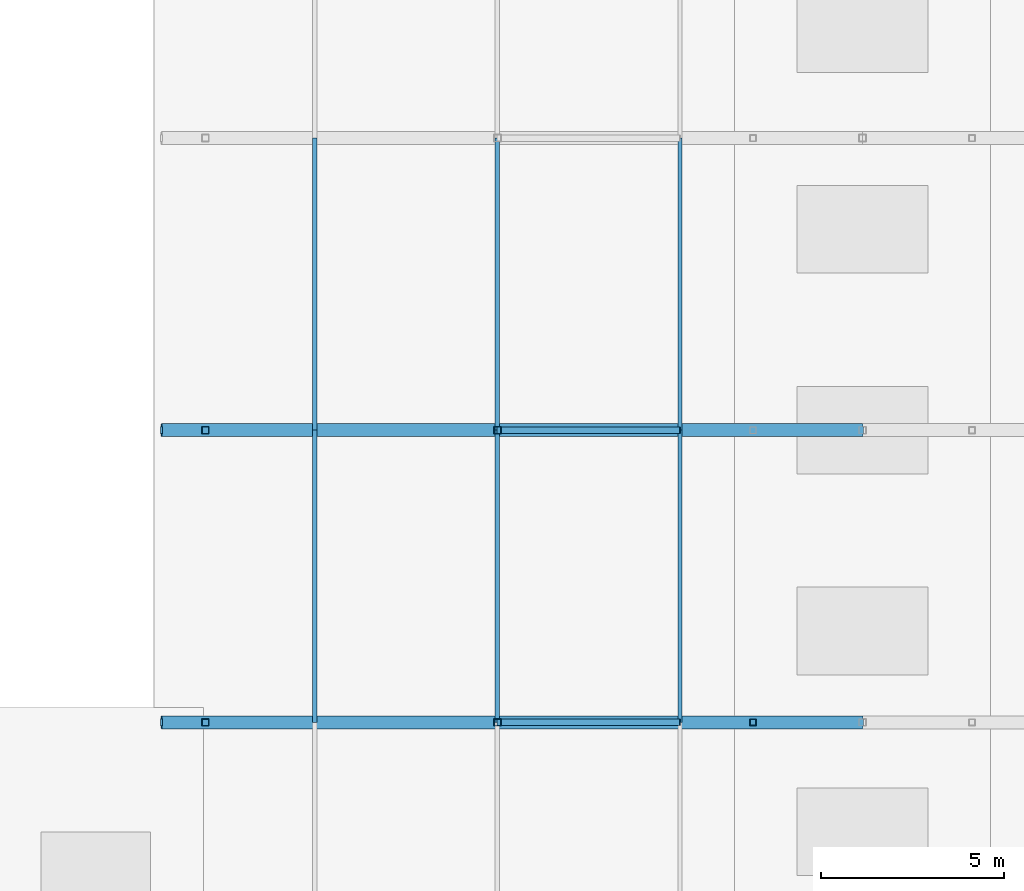
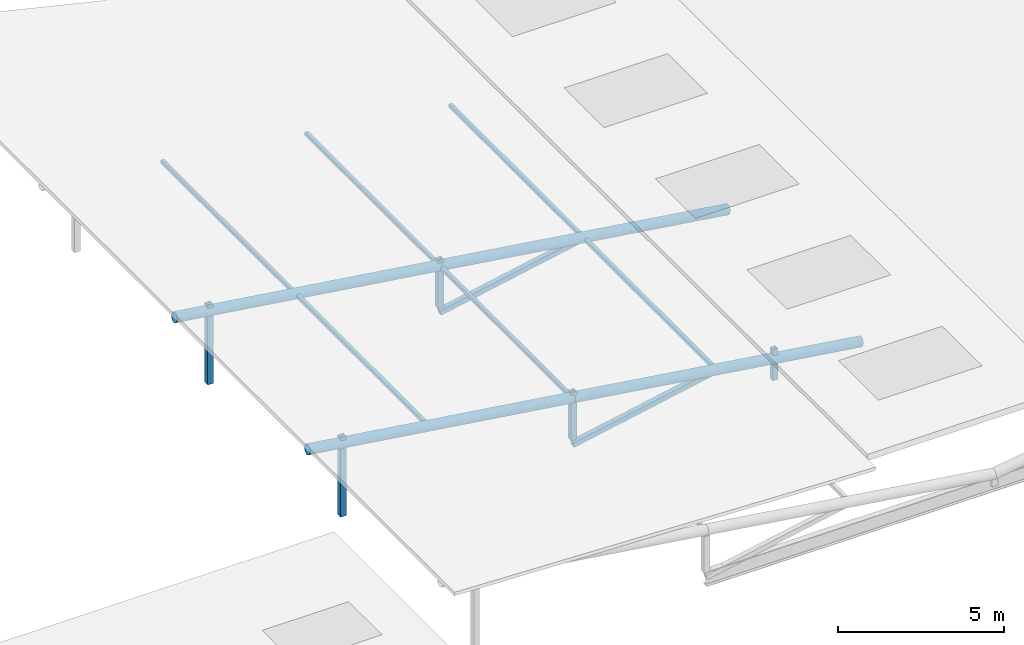
# One storey, part 18 of 84: 13 members, 4 beams.
"""IFC4 building model written with IfcOpenShell, lengths in metres."""

from ifc_helpers import new_model, si_unit, direction, frame, origin, origin_2d, place, context, subcontext, project, spatial, hollow_rectangle, hollow_circle, extrude, material, material_profile, profile_set, type_object, element, save


model = new_model("IFC4")

# Units and contexts
model_context = context("Model", 3, precision=1e-05, world=origin(), true_north=direction((0.0, 1.0)))
body_context = subcontext(model_context, "Body", "Model", "MODEL_VIEW")
ifc_project = project(units=[si_unit("LENGTHUNIT", "METRE"), si_unit("AREAUNIT", "SQUARE_METRE"), si_unit("VOLUMEUNIT", "CUBIC_METRE"), si_unit("PLANEANGLEUNIT", "RADIAN"), si_unit("MASSUNIT", "GRAM", prefix="KILO")], contexts=[model_context])

# Site, building, storey
site_placement = place(None, origin())
site = spatial("IfcSite", under=ifc_project, at=site_placement, CompositionType="ELEMENT")
building_placement = place(site_placement, origin())
building = spatial("IfcBuilding", under=site, at=building_placement, Name="Tenunan Teduh Sports Hall", CompositionType="ELEMENT")
storey_placement = place(building_placement, frame((0.0, 0.0, 10.800048828125)))
storey = spatial("IfcBuildingStorey", under=building, at=storey_placement, Name="L02", CompositionType="ELEMENT", Elevation=10.800048828125)

# Beams
ifc_material_1 = material(Name="Steel S355", Category="steel")
ifc_material_profile_1 = material_profile(ifc_material_1, hollow_circle(Radius=0.177734375, WallThickness=0.012451171875, at=origin_2d()), Name="CHS 355.6x12.5")
ifc_profile_set_1 = profile_set([ifc_material_profile_1], Name="Steel S355")
beam_type = type_object("IfcBeamType", Name="GSB-CHS356", PredefinedType="BEAM", material=ifc_profile_set_1)
beam_1_placement = place(storey_placement, frame((68.800048828125, 46.0, 2.719970703125), z_axis=(0.989928466814, 0.0, -0.14156846609), x_axis=(0.0, 1.0, 0.0)))
element("IfcBeam", 1, at=beam_1_placement, inside=storey, type_object=beam_type, Name="Gridshell Vault Arch BM-GR-04-L02-0499", PredefinedType="BEAM", context=body_context, shape_type="SweptSolid", body=[
    extrude(hollow_circle(Radius=0.177734375, WallThickness=0.012451171875, at=origin_2d()), origin(), (0.0, 0.0, 1.0), 9.29345703125),
])
beam_2_placement = place(storey_placement, frame((78.0, 46.0, 1.404296875), z_axis=(0.98972987631, 0.0, -0.142950242877), x_axis=(0.0, 1.0, 0.0)))
element("IfcBeam", 2, at=beam_2_placement, inside=storey, type_object=beam_type, Name="Gridshell Vault Arch BM-GR-04-L02-0500", PredefinedType="BEAM", context=body_context, shape_type="SweptSolid", body=[
    extrude(hollow_circle(Radius=0.177734375, WallThickness=0.012451171875, at=origin_2d()), origin(), (0.0, 0.0, 1.0), 10.103759765625),
])
beam_3_placement = place(storey_placement, frame((68.800048828125, 54.0, 2.719970703125), z_axis=(0.989928466814, 0.0, -0.14156846609), x_axis=(0.0, 1.0, 0.0)))
element("IfcBeam", 3, at=beam_3_placement, inside=storey, type_object=beam_type, Name="Gridshell Vault Arch BM-GR-04-L02-0504", PredefinedType="BEAM", context=body_context, shape_type="SweptSolid", body=[
    extrude(hollow_circle(Radius=0.177734375, WallThickness=0.012451171875, at=origin_2d()), origin(), (0.0, 0.0, 1.0), 9.29345703125),
])
beam_4_placement = place(storey_placement, frame((78.0, 54.0, 1.404296875), z_axis=(0.98972987631, 0.0, -0.142950242877), x_axis=(0.0, 1.0, 0.0)))
element("IfcBeam", 4, at=beam_4_placement, inside=storey, type_object=beam_type, Name="Gridshell Vault Arch BM-GR-04-L02-0505", PredefinedType="BEAM", context=body_context, shape_type="SweptSolid", body=[
    extrude(hollow_circle(Radius=0.177734375, WallThickness=0.012451171875, at=origin_2d()), origin(), (0.0, 0.0, 1.0), 10.103759765625),
])

# Members
ifc_material_2 = material(Name="Steel S355", Category="steel")
ifc_material_profile_2 = material_profile(ifc_material_2, hollow_rectangle(XDim=0.1201171875, YDim=0.1201171875, WallThickness=0.00634765625, at=origin_2d()), Name="SHS 120x120x6.3")
ifc_profile_set_2 = profile_set([ifc_material_profile_2], Name="Steel S355")
member_type_1 = type_object("IfcMemberType", Name="MEM-PR-SHS120", PredefinedType="PURLIN", material=ifc_profile_set_2)
for number, where, z_axis, x_axis, name in (
    (5, (73.0, 46.0, 2.126708984375), (0.0, 1.0, 0.0), (-1.0, 0.0, 0.0), "MEM-PR-02-L02-0907"),
    (6, (73.0, 54.0, 2.126708984375), (0.0, 1.0, 0.0), (-1.0, 0.0, 0.0), "MEM-PR-02-L02-0908"),
    (7, (78.0, 46.0, 1.404296875), (0.0, 1.0, 0.0), (-1.0, 0.0, 0.0), "MEM-PR-02-L02-0911"),
    (8, (78.0, 54.0, 1.404296875), (0.0, 1.0, 0.0), (-1.0, 0.0, 0.0), "MEM-PR-02-L02-0912"),
    (9, (83.0, 46.0, 0.68212890625), (0.0, 1.0, 0.0), (-1.0, 0.0, 0.0), "MEM-PR-02-L02-0915"),
    (10, (83.0, 54.0, 0.68212890625), (0.0, 1.0, 0.0), (-1.0, 0.0, 0.0), "MEM-PR-02-L02-0916"),
):
    element("IfcMember", number, at=place(storey_placement, frame(where, z_axis=z_axis, x_axis=x_axis)), inside=storey, type_object=member_type_1, Name=name, PredefinedType="PURLIN", context=body_context, shape_type="SweptSolid", body=[
        extrude(hollow_rectangle(XDim=0.1201171875, YDim=0.1201171875, WallThickness=0.00634765625, at=origin_2d()), origin(), (0.0, 0.0, 1.0), 8.0),
    ])
ifc_material_3 = material(Name="Steel S355", Category="steel")
ifc_material_profile_3 = material_profile(ifc_material_3, hollow_rectangle(XDim=0.179931640625, YDim=0.179931640625, WallThickness=0.010009765625, at=origin_2d()), Name="SHS 180x180x10.0")
ifc_profile_set_3 = profile_set([ifc_material_profile_3], Name="Steel S355")
member_type_2 = type_object("IfcMemberType", Name="MEM-ST-SHS180", PredefinedType="STRUT", material=ifc_profile_set_3)
member_1_placement = place(storey_placement, frame((85.0, 46.0, -0.360107421875), z_axis=(0.0, 0.0, 1.0), x_axis=(1.0, 0.0, 0.0)))
element("IfcMember", 11, at=member_1_placement, inside=storey, type_object=member_type_2, Name="MEM-VS-03-L02-0868", PredefinedType="STRUT", context=body_context, shape_type="SweptSolid", body=[
    extrude(hollow_rectangle(XDim=0.179931640625, YDim=0.179931640625, WallThickness=0.010009765625, at=origin_2d()), origin(), (0.0, 0.0, 1.0), 1.14013671875),
])
for number, where, z_axis, x_axis, name in (
    (12, (78.0, 46.0, -0.300048828125), (0.981247525965, 0.0, 0.192751894383), (0.0, 1.0, 0.0), "MEM-VS-03-L02-0873"),
    (13, (78.0, 54.0, -0.300048828125), (0.981247525965, 0.0, 0.192751894383), (0.0, 1.0, 0.0), "MEM-VS-03-L02-0884"),
):
    element("IfcMember", number, at=place(storey_placement, frame(where, z_axis=z_axis, x_axis=x_axis)), inside=storey, type_object=member_type_2, Name=name, PredefinedType="STRUT", context=body_context, shape_type="SweptSolid", body=[
        extrude(hollow_rectangle(XDim=0.179931640625, YDim=0.179931640625, WallThickness=0.010009765625, at=origin_2d()), origin(), (0.0, 0.0, 1.0), 5.095458984375),
    ])
ifc_material_4 = material(Name="Steel S355", Category="steel")
ifc_material_profile_4 = material_profile(ifc_material_4, hollow_rectangle(XDim=0.199951171875, YDim=0.199951171875, WallThickness=0.010009765625, at=origin_2d()), Name="SHS 200x200x10.0")
ifc_profile_set_4 = profile_set([ifc_material_profile_4], Name="Steel S355")
member_type_3 = type_object("IfcMemberType", Name="MEM-ST-SHS200", PredefinedType="STRUT", material=ifc_profile_set_4)
member_2_placement = place(storey_placement, frame((70.0, 46.0, -0.10009765625), z_axis=(0.0, 0.0, 1.0), x_axis=(1.0, 0.0, 0.0)))
element("IfcMember", 14, at=member_2_placement, inside=storey, type_object=member_type_3, Name="MEM-VS-02-L02-0864", PredefinedType="STRUT", context=body_context, shape_type="SweptSolid", body=[
    extrude(hollow_rectangle(XDim=0.199951171875, YDim=0.199951171875, WallThickness=0.010009765625, at=origin_2d()), origin(), (0.0, 0.0, 1.0), 2.91015625),
])
member_3_placement = place(storey_placement, frame((78.0, 46.0, -0.10009765625), z_axis=(0.0, 0.0, 1.0), x_axis=(1.0, 0.0, 0.0)))
element("IfcMember", 15, at=member_3_placement, inside=storey, type_object=member_type_3, Name="MEM-VS-02-L02-0865", PredefinedType="STRUT", context=body_context, shape_type="SweptSolid", body=[
    extrude(hollow_rectangle(XDim=0.199951171875, YDim=0.199951171875, WallThickness=0.010009765625, at=origin_2d()), origin(), (0.0, 0.0, 1.0), 1.75439453125),
])
member_4_placement = place(storey_placement, frame((70.0, 54.0, -0.10009765625), z_axis=(0.0, 0.0, 1.0), x_axis=(1.0, 0.0, 0.0)))
element("IfcMember", 16, at=member_4_placement, inside=storey, type_object=member_type_3, Name="MEM-VS-02-L02-0875", PredefinedType="STRUT", context=body_context, shape_type="SweptSolid", body=[
    extrude(hollow_rectangle(XDim=0.199951171875, YDim=0.199951171875, WallThickness=0.010009765625, at=origin_2d()), origin(), (0.0, 0.0, 1.0), 2.91015625),
])
member_5_placement = place(storey_placement, frame((78.0, 54.0, -0.10009765625), z_axis=(0.0, 0.0, 1.0), x_axis=(1.0, 0.0, 0.0)))
element("IfcMember", 17, at=member_5_placement, inside=storey, type_object=member_type_3, Name="MEM-VS-02-L02-0876", PredefinedType="STRUT", context=body_context, shape_type="SweptSolid", body=[
    extrude(hollow_rectangle(XDim=0.199951171875, YDim=0.199951171875, WallThickness=0.010009765625, at=origin_2d()), origin(), (0.0, 0.0, 1.0), 1.75439453125),
])

save(model, "model.ifc")
